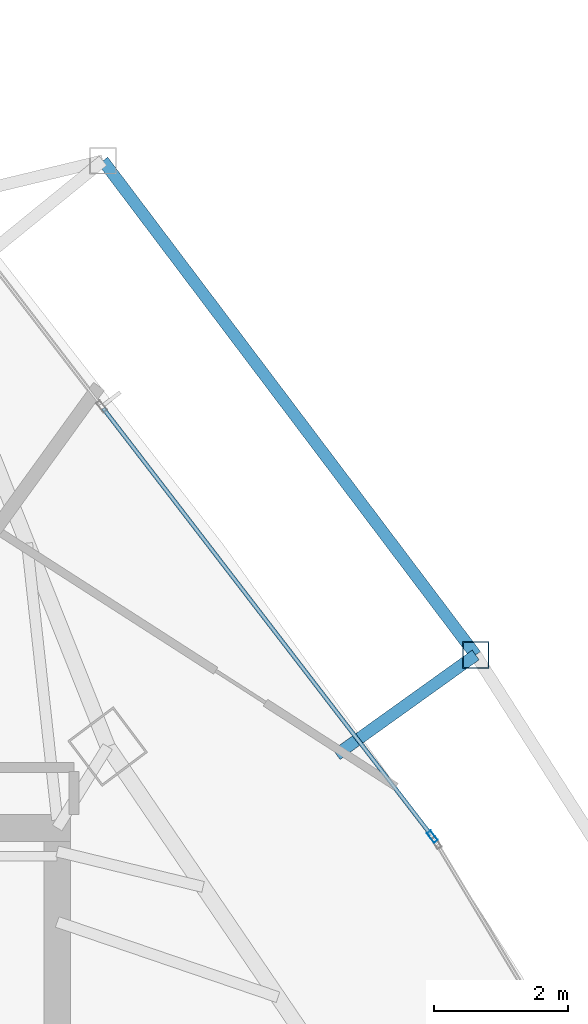
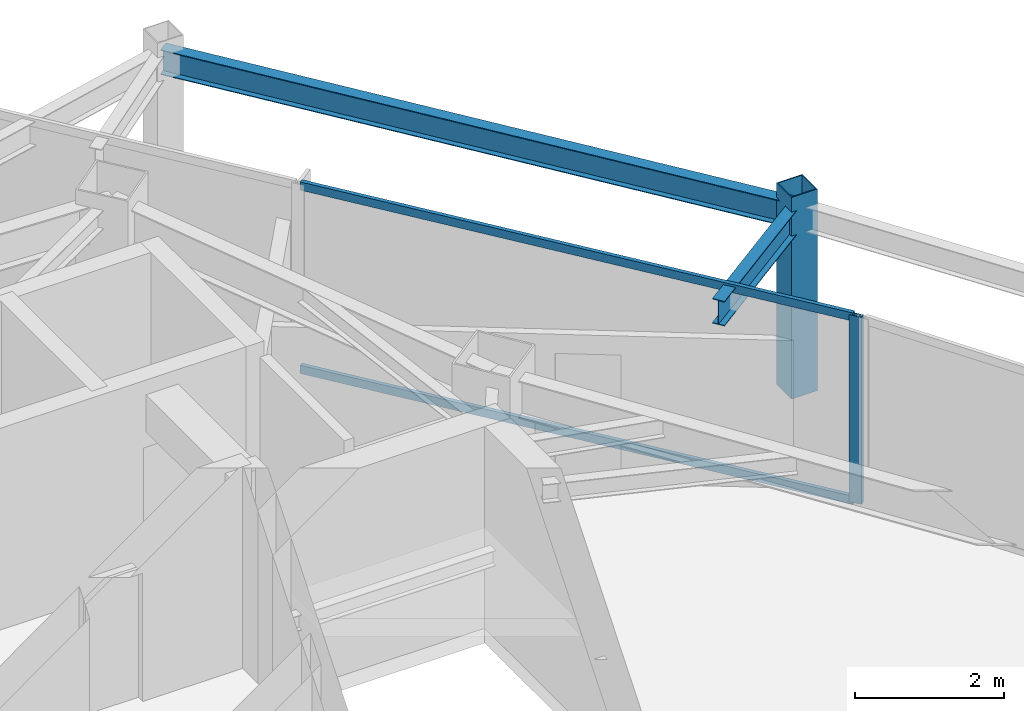
# One storey, part 22 of 29: 4 members, 2 beams, 1 element without a shape of its own.
"""IFC4 building model written with IfcOpenShell, lengths in metres."""

from ifc_helpers import new_model, si_unit, direction, frame, origin, origin_2d, place, context, subcontext, project, spatial, hollow_rectangle, i_section, extrude, material, layer, layer_set, material_profile, profile_set, type_object, element, aggregate, save


model = new_model("IFC4")

# Units and contexts
model_context = context("Model", 3, precision=1e-05, world=origin(), true_north=direction((0.0, 1.0)))
body_context = subcontext(model_context, "Body", "Model", "MODEL_VIEW")
ifc_project = project(units=[si_unit("LENGTHUNIT", "METRE"), si_unit("AREAUNIT", "SQUARE_METRE"), si_unit("VOLUMEUNIT", "CUBIC_METRE"), si_unit("PLANEANGLEUNIT", "RADIAN"), si_unit("MASSUNIT", "GRAM", prefix="KILO")], contexts=[model_context])

# Site, building, storey
site_placement = place(None, origin())
site = spatial("IfcSite", under=ifc_project, at=site_placement, CompositionType="ELEMENT")
building_placement = place(site_placement, origin())
building = spatial("IfcBuilding", under=site, at=building_placement, Name="Orvanel Arch Residences", CompositionType="ELEMENT")
storey_placement = place(building_placement, frame((0.0, 0.0, 170.449951171875)))
storey = spatial("IfcBuildingStorey", under=building, at=storey_placement, Name="L48", CompositionType="ELEMENT", Elevation=170.449951171875)

# Curtain wall, member
ifc_material_1 = material(Name="Bronze-anodised aluminium AA6063-T6", Category="aluminium")
ifc_layer = layer(ifc_material_1, 0.179931640625)
ifc_layer_set = layer_set([ifc_layer], Name="Bronze-anodised aluminium AA6063-T6")
curtain_wall_type = type_object("IfcCurtainWallType", Name="CW3-MID-SYS", PredefinedType="NOTDEFINED", material=ifc_layer_set)
curtain_wall_placement = place(storey_placement, origin())
curtain_wall = element("IfcCurtainWall", 1, at=curtain_wall_placement, inside=storey, type_object=curtain_wall_type, Name="L48 CW3-MID-SYS Unitised Curtain Wall", PredefinedType="NOTDEFINED")
ifc_material_profile_1 = material_profile(ifc_material_1, hollow_rectangle(XDim=0.070068359375, YDim=0.179931640625, WallThickness=0.00439453125, at=origin_2d()), Name="ALU180x70x4.5")
ifc_profile_set_1 = profile_set([ifc_material_profile_1], Name="Bronze-anodised aluminium AA6063-T6")
member_type_1 = type_object("IfcMemberType", Name="MUL-180x70", PredefinedType="MULLION", material=ifc_profile_set_1)
member_1_placement = place(storey_placement, frame((45.190673828125, 33.770751953125, 0.0), z_axis=(0.0, 0.0, 1.0), x_axis=(-0.792926030176, -0.60931790608, 0.0)))
member_1 = element("IfcMember", 2, at=member_1_placement, type_object=member_type_1, Name="CW-S3 mullion 1", PredefinedType="MULLION", context=body_context, shape_type="SweptSolid", body=[
    extrude(hollow_rectangle(XDim=0.070068359375, YDim=0.179931640625, WallThickness=0.00439453125, at=origin_2d()), origin(), (0.0, 0.0, 1.0), 3.06005859375),
])

# Beams
ifc_material_2 = material(Name="Structural steel AS/NZS 3679.1 Grade 300 (300 MPa)", Category="steel")
ifc_material_profile_2 = material_profile(ifc_material_2, i_section(OverallWidth=0.177978515625, OverallDepth=0.406005859375, WebThickness=0.0078125, FlangeThickness=0.0126953125, at=origin_2d()), Name="410UB59.7")
ifc_profile_set_2 = profile_set([ifc_material_profile_2], Name="Structural steel AS/NZS 3679.1 Grade 300 (300 MPa)")
beam_type = type_object("IfcBeamType", Name="OB-410UB-EXT", PredefinedType="SPANDREL", material=ifc_profile_set_2)
beam_1_placement = place(storey_placement, frame((43.763916015625, 34.992919921875, 2.85693359375), z_axis=(0.812917598106, 0.582378724447, 0.0), x_axis=(-0.582378724447, 0.812917598106, 0.0)))
element("IfcBeam", 3, at=beam_1_placement, inside=storey, type_object=beam_type, Name="L48 Outer Frame Radial Tie Beam 11", PredefinedType="SPANDREL", context=body_context, shape_type="SweptSolid", body=[
    extrude(i_section(OverallWidth=0.177978515625, OverallDepth=0.406005859375, WebThickness=0.0078125, FlangeThickness=0.0126953125, at=origin_2d()), origin(), (0.0, 0.0, 1.0), 2.550048828125),
])
beam_2_placement = place(storey_placement, frame((45.8369140625, 36.47802734375, 2.85693359375), z_axis=(-0.602110706673, 0.79841261069, 0.0), x_axis=(-0.79841261069, -0.602110706673, 0.0)))
element("IfcBeam", 4, at=beam_2_placement, inside=storey, type_object=beam_type, Name="L48 Outer Perimeter Floor Ring Beam 11", PredefinedType="SPANDREL", context=body_context, shape_type="SweptSolid", body=[
    extrude(i_section(OverallWidth=0.177978515625, OverallDepth=0.406005859375, WebThickness=0.0078125, FlangeThickness=0.0126953125, at=origin_2d()), origin(), (0.0, 0.0, 1.0), 9.225830078125),
])

# Member
ifc_material_3 = material(Name="Structural steel AS/NZS 1163 C450L0 (Grade 450)", Category="steel")
ifc_material_profile_3 = material_profile(ifc_material_3, hollow_rectangle(XDim=0.39990234375, YDim=0.39990234375, WallThickness=0.01611328125, at=origin_2d()), Name="SHS400x400x16")
ifc_profile_set_3 = profile_set([ifc_material_profile_3], Name="Structural steel AS/NZS 1163 C450L0 (Grade 450)")
member_type_2 = type_object("IfcMemberType", Name="ST-400SHS-EXT", PredefinedType="STRUT", material=ifc_profile_set_3)
member_2_placement = place(storey_placement, frame((45.8369140625, 36.47802734375, 0.0), z_axis=(0.0, 0.0, 1.0), x_axis=(1.0, 0.0, 0.0)))
element("IfcMember", 5, at=member_2_placement, inside=storey, type_object=member_type_2, Name="L48 Outer Perimeter Frame Post 11", PredefinedType="STRUT", context=body_context, shape_type="SweptSolid", body=[
    extrude(hollow_rectangle(XDim=0.39990234375, YDim=0.39990234375, WallThickness=0.01611328125, at=origin_2d()), origin(), (0.0, 0.0, 1.0), 3.300048828125),
])

ifc_material_profile_4 = material_profile(ifc_material_1, hollow_rectangle(XDim=0.06005859375, YDim=0.135009765625, WallThickness=0.00390625, at=origin_2d()), Name="ALU135x60x4")
ifc_profile_set_4 = profile_set([ifc_material_profile_4], Name="Bronze-anodised aluminium AA6063-T6")
member_type_3 = type_object("IfcMemberType", Name="TRN-135x60", PredefinedType="USERDEFINED", material=ifc_profile_set_4)
member_3_placement = place(storey_placement, frame((45.16943359375, 33.798583984375, 0.030029296875), z_axis=(-0.609320615479, 0.792923948151, 0.0), x_axis=(-0.792923948151, -0.609320615479, 0.0)))
member_3 = element("IfcMember", 6, at=member_3_placement, type_object=member_type_3, Name="CW-S3 transom 1.1", ObjectType="TRANSOM", PredefinedType="USERDEFINED", context=body_context, shape_type="SweptSolid", body=[
    extrude(hollow_rectangle(XDim=0.06005859375, YDim=0.135009765625, WallThickness=0.00390625, at=origin_2d()), origin(), (0.0, 0.0, 1.0), 8.015625),
])

member_4_placement = place(storey_placement, frame((45.16943359375, 33.798583984375, 3.030029296875), z_axis=(-0.609320615479, 0.792923948151, 0.0), x_axis=(-0.792923948151, -0.609320615479, 0.0)))
member_4 = element("IfcMember", 7, at=member_4_placement, type_object=member_type_3, Name="CW-S3 transom 1.2", ObjectType="TRANSOM", PredefinedType="USERDEFINED", context=body_context, shape_type="SweptSolid", body=[
    extrude(hollow_rectangle(XDim=0.06005859375, YDim=0.135009765625, WallThickness=0.00390625, at=origin_2d()), origin(), (0.0, 0.0, 1.0), 8.015625),
])

aggregate(curtain_wall, [member_1, member_3, member_4])

save(model, "model.ifc")
